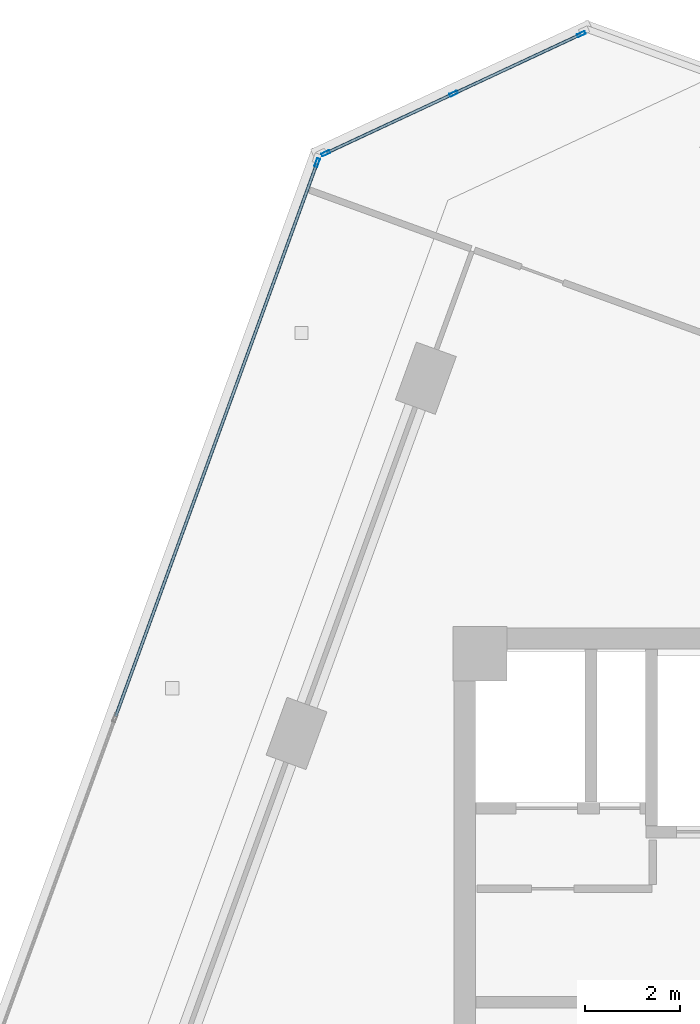
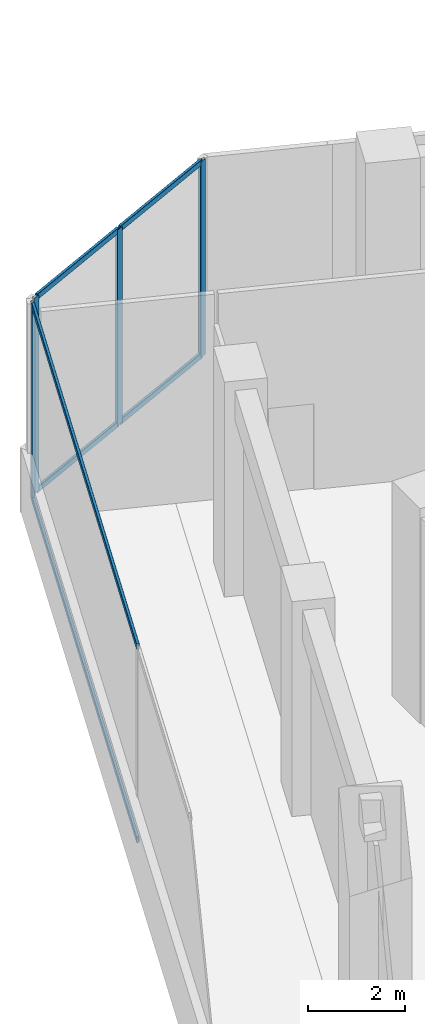
# One storey, part 12 of 21: 10 members, 2 elements without a shape of their own.
"""IFC4 building model written with IfcOpenShell, lengths in metres."""

from ifc_helpers import new_model, si_unit, direction, frame, origin, origin_2d, place, context, subcontext, project, spatial, hollow_rectangle, extrude, source, transform, mapped, material, material_profile, profile_set, type_object, element, aggregate, save


model = new_model("IFC4")

# Units and contexts
model_context = context("Model", 3, precision=1e-05, world=origin(), true_north=direction((0.0, 1.0)))
body_context = subcontext(model_context, "Body", "Model", "MODEL_VIEW")
ifc_project = project(units=[si_unit("LENGTHUNIT", "METRE"), si_unit("AREAUNIT", "SQUARE_METRE"), si_unit("VOLUMEUNIT", "CUBIC_METRE"), si_unit("PLANEANGLEUNIT", "RADIAN"), si_unit("MASSUNIT", "GRAM", prefix="KILO")], contexts=[model_context])

# Site, building, storey
site_placement = place(None, origin())
site = spatial("IfcSite", under=ifc_project, at=site_placement, CompositionType="ELEMENT")
building_placement = place(site_placement, origin())
building = spatial("IfcBuilding", under=site, at=building_placement, Name="Torre Montelarca", CompositionType="ELEMENT")
storey_placement = place(building_placement, frame((0.0, 0.0, 127.60009765625)))
storey = spatial("IfcBuildingStorey", under=building, at=storey_placement, Name="L28", CompositionType="ELEMENT", Elevation=127.60009765625)

# Curtain wall, members
ifc_material_1 = material(Name="Insulated low-E laminated glass", Category="glass")
curtain_wall_type = type_object("IfcCurtainWallType", Name="CW-SYS-Z2", PredefinedType="USERDEFINED", material=ifc_material_1)
curtain_wall_1_placement = place(storey_placement, origin())
curtain_wall_1 = element("IfcCurtainWall", 1, at=curtain_wall_1_placement, inside=storey, type_object=curtain_wall_type, Name="L28 Curtain Wall Run CW-T3-L28-E09-B1", ObjectType="UNITISED GLAZING", PredefinedType="USERDEFINED")
ifc_material_2 = material(Name="Anodised aluminium AA 6063-T6", Category="aluminium")
ifc_material_profile_1 = material_profile(ifc_material_2, hollow_rectangle(XDim=0.06494140625, YDim=0.139892578125, WallThickness=0.00390625, InnerFilletRadius=0.00390625, OuterFilletRadius=0.008056640625, at=origin_2d()), Name="ALU65X140X4", Category="aluminium")
ifc_profile_set_1 = profile_set([ifc_material_profile_1], Name="Anodised aluminium AA 6063-T6")
member_type_1 = type_object("IfcMemberType", Name="CWT-ALU140", PredefinedType="USERDEFINED", material=ifc_profile_set_1)
shared_shape_1 = source(origin(), body_context, "Body", "SweptSolid", [
    extrude(hollow_rectangle(XDim=0.06494140625, YDim=0.139892578125, WallThickness=0.00390625, InnerFilletRadius=0.00390625, OuterFilletRadius=0.008056640625, at=origin_2d()), origin(), (0.0, 0.0, 1.0), 2.91845703125),
])
member_1_placement = place(storey_placement, frame((11.663330078125, 52.54833984375, 0.032470703125), z_axis=(-0.906307055482, -0.422619830561, 0.0), x_axis=(0.422619830561, -0.906307055482, 0.0)))
member_1 = element("IfcMember", 2, at=member_1_placement, type_object=member_type_1, Name="CW transom 1.1", ObjectType="TRANSOM", PredefinedType="USERDEFINED", context=body_context, shape_type="MappedRepresentation", body=[
    mapped(shared_shape_1, transform((0.0, 0.0, 0.0), scale=1.0)),
])
member_2_placement = place(storey_placement, frame((11.663330078125, 52.54833984375, 4.887451171875), z_axis=(-0.906307055482, -0.422619830561, 0.0), x_axis=(0.422619830561, -0.906307055482, 0.0)))
member_2 = element("IfcMember", 3, at=member_2_placement, type_object=member_type_1, Name="CW transom 1.2", ObjectType="TRANSOM", PredefinedType="USERDEFINED", context=body_context, shape_type="MappedRepresentation", body=[
    mapped(shared_shape_1, transform((0.0, 0.0, 0.0), scale=1.0)),
])
member_3_placement = place(storey_placement, frame((8.959228515625, 51.287353515625, 0.032470703125), z_axis=(-0.906307055482, -0.422619830561, 0.0), x_axis=(0.422619830561, -0.906307055482, 0.0)))
member_3 = element("IfcMember", 4, at=member_3_placement, type_object=member_type_1, Name="CW transom 2.1", ObjectType="TRANSOM", PredefinedType="USERDEFINED", context=body_context, shape_type="MappedRepresentation", body=[
    mapped(shared_shape_1, transform((0.0, 0.0, 0.0), scale=1.0)),
])
member_4_placement = place(storey_placement, frame((8.959228515625, 51.287353515625, 4.887451171875), z_axis=(-0.906307055482, -0.422619830561, 0.0), x_axis=(0.422619830561, -0.906307055482, 0.0)))
member_4 = element("IfcMember", 5, at=member_4_placement, type_object=member_type_1, Name="CW transom 2.2", ObjectType="TRANSOM", PredefinedType="USERDEFINED", context=body_context, shape_type="MappedRepresentation", body=[
    mapped(shared_shape_1, transform((0.0, 0.0, 0.0), scale=1.0)),
])

curtain_wall_2_placement = place(storey_placement, origin())
curtain_wall_2 = element("IfcCurtainWall", 6, at=curtain_wall_2_placement, inside=storey, type_object=curtain_wall_type, Name="L28 Curtain Wall Run CW-T3-L28-E10-B1", ObjectType="UNITISED GLAZING", PredefinedType="USERDEFINED")
shared_shape_2 = source(origin(), body_context, "Body", "SweptSolid", [
    extrude(hollow_rectangle(XDim=0.06494140625, YDim=0.139892578125, WallThickness=0.00390625, InnerFilletRadius=0.00390625, OuterFilletRadius=0.008056640625, at=origin_2d()), origin(), (0.0, 0.0, 1.0), 12.4365234375),
])
member_5_placement = place(storey_placement, frame((6.09326171875, 49.812744140625, 0.032470703125), z_axis=(-0.342028339507, -0.939689637579, 0.0), x_axis=(0.939689637579, -0.342028339507, 0.0)))
member_5 = element("IfcMember", 7, at=member_5_placement, type_object=member_type_1, Name="CW transom 1.1", ObjectType="TRANSOM", PredefinedType="USERDEFINED", context=body_context, shape_type="MappedRepresentation", body=[
    mapped(shared_shape_2, transform((0.0, 0.0, 0.0), scale=1.0)),
])
member_6_placement = place(storey_placement, frame((6.09326171875, 49.812744140625, 4.887451171875), z_axis=(-0.342028339507, -0.939689637579, 0.0), x_axis=(0.939689637579, -0.342028339507, 0.0)))
member_6 = element("IfcMember", 8, at=member_6_placement, type_object=member_type_1, Name="CW transom 1.2", ObjectType="TRANSOM", PredefinedType="USERDEFINED", context=body_context, shape_type="MappedRepresentation", body=[
    mapped(shared_shape_2, transform((0.0, 0.0, 0.0), scale=1.0)),
])

# Member
ifc_material_profile_2 = material_profile(ifc_material_2, hollow_rectangle(XDim=0.06494140625, YDim=0.179931640625, WallThickness=0.00390625, InnerFilletRadius=0.00390625, OuterFilletRadius=0.008056640625, at=origin_2d()), Name="ALU65X180X4", Category="aluminium")
ifc_profile_set_2 = profile_set([ifc_material_profile_2], Name="Anodised aluminium AA 6063-T6")
member_type_2 = type_object("IfcMemberType", Name="CWM-ALU180", PredefinedType="MULLION", material=ifc_profile_set_2)
shared_shape_3 = source(origin(), body_context, "Body", "SweptSolid", [
    extrude(hollow_rectangle(XDim=0.06494140625, YDim=0.179931640625, WallThickness=0.00390625, InnerFilletRadius=0.00390625, OuterFilletRadius=0.008056640625, at=origin_2d()), origin(), (0.0, 0.0, 1.0), 4.919921875),
])
member_7_placement = place(storey_placement, frame((11.69287109375, 52.56201171875, 0.0), z_axis=(0.0, 0.0, 1.0), x_axis=(0.422597755027, -0.906317349192, 0.0)))
member_7 = element("IfcMember", 9, at=member_7_placement, type_object=member_type_2, Name="CW mullion 1", PredefinedType="MULLION", context=body_context, shape_type="MappedRepresentation", body=[
    mapped(shared_shape_3, transform((0.0, 0.0, 0.0), scale=1.0)),
])

member_8_placement = place(storey_placement, frame((8.98876953125, 51.301025390625, 0.0), z_axis=(0.0, 0.0, 1.0), x_axis=(0.422597755027, -0.906317349192, 0.0)))
member_8 = element("IfcMember", 10, at=member_8_placement, type_object=member_type_2, Name="CW mullion 2", PredefinedType="MULLION", context=body_context, shape_type="MappedRepresentation", body=[
    mapped(shared_shape_3, transform((0.0, 0.0, 0.0), scale=1.0)),
])

member_9_placement = place(storey_placement, frame((6.28466796875, 50.040283203125, 0.0), z_axis=(0.0, 0.0, 1.0), x_axis=(0.422597755027, -0.906317349192, 0.0)))
member_9 = element("IfcMember", 11, at=member_9_placement, type_object=member_type_2, Name="CW mullion 3", PredefinedType="MULLION", context=body_context, shape_type="MappedRepresentation", body=[
    mapped(shared_shape_3, transform((0.0, 0.0, 0.0), scale=1.0)),
])

aggregate(curtain_wall_1, [member_7, member_8, member_9, member_1, member_2, member_3, member_4])

member_10_placement = place(storey_placement, frame((6.104248046875, 49.84326171875, 0.0), z_axis=(0.0, 0.0, 1.0), x_axis=(0.939692985234, -0.342019142012, 0.0)))
member_10 = element("IfcMember", 12, at=member_10_placement, type_object=member_type_2, Name="CW mullion 1", PredefinedType="MULLION", context=body_context, shape_type="MappedRepresentation", body=[
    mapped(shared_shape_3, transform((0.0, 0.0, 0.0), scale=1.0)),
])

aggregate(curtain_wall_2, [member_10, member_5, member_6])

save(model, "model.ifc")
